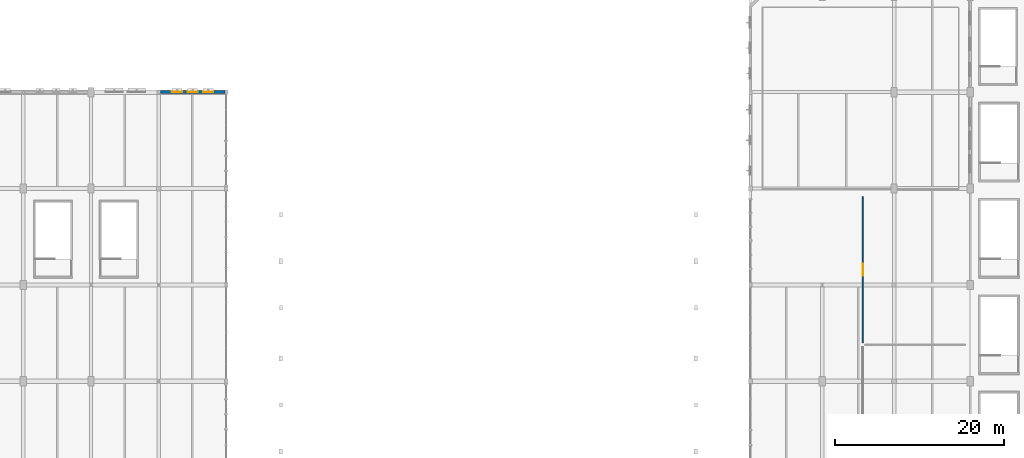
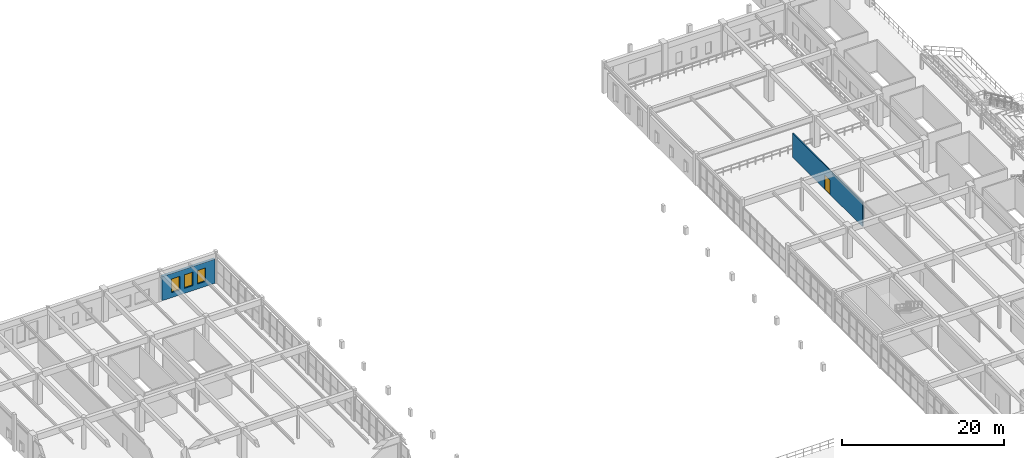
# One storey, part 85 of 106: 3 windows, 2 walls, 1 door, 4 openings.
"""IFC4 building model written with IfcOpenShell, lengths in metres."""

from ifc_helpers import new_model, si_unit, direction, frame, frame_2d, origin, place, context, subcontext, project, spatial, rectangle, extrude, material, layer, layer_set, type_object, element, fill, save


model = new_model("IFC4")

# Units and contexts
model_context = context("Model", 3, precision=1e-05, world=origin(), true_north=direction((0.0, 1.0)))
body_context = subcontext(model_context, "Body", "Model", "MODEL_VIEW")
ifc_project = project(units=[si_unit("LENGTHUNIT", "METRE"), si_unit("AREAUNIT", "SQUARE_METRE"), si_unit("VOLUMEUNIT", "CUBIC_METRE"), si_unit("PLANEANGLEUNIT", "RADIAN"), si_unit("MASSUNIT", "GRAM", prefix="KILO"), si_unit("POWERUNIT", "WATT"), si_unit("THERMODYNAMICTEMPERATUREUNIT", "KELVIN")], contexts=[model_context])

# Site, building, storey
site_placement = place(None, origin())
site = spatial("IfcSite", under=ifc_project, at=site_placement, CompositionType="ELEMENT")
building_placement = place(site_placement, origin())
building = spatial("IfcBuilding", under=site, at=building_placement, Name="Kelmbourne Parkland Aquatics Centre", CompositionType="ELEMENT")
storey_placement = place(building_placement, frame((0.0, 0.0, 5.39990234375)))
storey = spatial("IfcBuildingStorey", under=building, at=storey_placement, Name="L01", CompositionType="ELEMENT", Elevation=5.39990234375)

# Wall, openings, windows
ifc_material_1 = material(Name="Polychrome glazed brick header coursework", Category="masonry")
ifc_layer_1 = layer(ifc_material_1, 0.35009765625)
ifc_layer_set_1 = layer_set([ifc_layer_1], Name="Polychrome glazed brick header coursework")
wall_type_1 = type_object("IfcWallType", Name="W-EXT-350", PredefinedType="STANDARD", material=ifc_layer_set_1)
wall_1_placement = place(storey_placement, frame((32.22705078125, 92.0, 0.0), z_axis=(0.0, 0.0, 1.0), x_axis=(1.0, 0.0, 0.0)))
wall_1 = element("IfcWall", 1, at=wall_1_placement, inside=storey, type_object=wall_type_1, Name="Exterior polychrome brick wall EW-L01-073", PredefinedType="STANDARD", context=body_context, shape_type="SweptSolid", body=[
    extrude(rectangle(XDim=7.595947265625, YDim=0.35009765625, at=frame_2d((3.7978515625, 0.0))), origin(), (0.0, 0.0, 1.0), 3.64501953125),
])
opening_1_placement = place(wall_1_placement, frame((1.35009765625, 0.0, 0.75)))
opening_1 = element("IfcOpeningElement", 2, at=opening_1_placement, cuts=wall_1, Name="Opening W08", PredefinedType="OPENING", context=body_context, shape_type="SweptSolid", body=[
    extrude(rectangle(XDim=1.199951171875, YDim=2.050048828125, at=frame_2d((0.60009765625, 1.02490234375))), frame((0.0, 0.18701171875, 0.0), z_axis=(0.0, -1.0, 0.0), x_axis=(1.0, 0.0, 0.0)), (0.0, 0.0, 1.0), 0.3740234375),
])
opening_2_placement = place(wall_1_placement, frame((3.197998046875, 0.0, 0.75)))
opening_2 = element("IfcOpeningElement", 3, at=opening_2_placement, cuts=wall_1, Name="Opening W08", PredefinedType="OPENING", context=body_context, shape_type="SweptSolid", body=[
    extrude(rectangle(XDim=1.199951171875, YDim=2.050048828125, at=frame_2d((0.60009765625, 1.02490234375))), frame((0.0, 0.18701171875, 0.0), z_axis=(0.0, -1.0, 0.0), x_axis=(1.0, 0.0, 0.0)), (0.0, 0.0, 1.0), 0.3740234375),
])
opening_3_placement = place(wall_1_placement, frame((5.0458984375, 0.0, 0.75)))
opening_3 = element("IfcOpeningElement", 4, at=opening_3_placement, cuts=wall_1, Name="Opening W08", PredefinedType="OPENING", context=body_context, shape_type="SweptSolid", body=[
    extrude(rectangle(XDim=1.199951171875, YDim=2.050048828125, at=frame_2d((0.60009765625, 1.02490234375))), frame((0.0, 0.18701171875, 0.0), z_axis=(0.0, -1.0, 0.0), x_axis=(1.0, 0.0, 0.0)), (0.0, 0.0, 1.0), 0.3740234375),
])
ifc_material_2 = material(Name="Thermally broken anodised aluminium window with low-e glass", Category="aluminium")
ifc_layer_2 = layer(ifc_material_2, 0.090087890625)
ifc_layer_set_2 = layer_set([ifc_layer_2], Name="Thermally broken anodised aluminium window with low-e glass")
window_type = type_object("IfcWindowType", Name="WN-08", PartitioningType="SINGLE_PANEL", PredefinedType="WINDOW", material=ifc_layer_set_2)
window_1_placement = place(opening_1_placement, origin())
window_1 = element("IfcWindow", 5, at=window_1_placement, inside=storey, type_object=window_type, Name="Deep-reveal masonry window W08", OverallHeight=2.050048828125, OverallWidth=1.199951171875, PartitioningType="SINGLE_PANEL", PredefinedType="WINDOW", context=body_context, shape_type="SweptSolid", body=[
    extrude(rectangle(XDim=1.199951171875, YDim=2.050048828125, at=frame_2d((0.60009765625, 1.02490234375))), frame((0.0, 0.080078125, 0.0), z_axis=(0.0, -1.0, 0.0), x_axis=(1.0, 0.0, 0.0)), (0.0, 0.0, 1.0), 0.06005859375),
])
fill(opening_1, window_1)
window_2_placement = place(opening_2_placement, origin())
window_2 = element("IfcWindow", 6, at=window_2_placement, inside=storey, type_object=window_type, Name="Deep-reveal masonry window W08", OverallHeight=2.050048828125, OverallWidth=1.199951171875, PartitioningType="SINGLE_PANEL", PredefinedType="WINDOW", context=body_context, shape_type="SweptSolid", body=[
    extrude(rectangle(XDim=1.199951171875, YDim=2.050048828125, at=frame_2d((0.60009765625, 1.02490234375))), frame((0.0, 0.080078125, 0.0), z_axis=(0.0, -1.0, 0.0), x_axis=(1.0, 0.0, 0.0)), (0.0, 0.0, 1.0), 0.06005859375),
])
fill(opening_2, window_2)
window_3_placement = place(opening_3_placement, origin())
window_3 = element("IfcWindow", 7, at=window_3_placement, inside=storey, type_object=window_type, Name="Deep-reveal masonry window W08", OverallHeight=2.050048828125, OverallWidth=1.199951171875, PartitioningType="SINGLE_PANEL", PredefinedType="WINDOW", context=body_context, shape_type="SweptSolid", body=[
    extrude(rectangle(XDim=1.199951171875, YDim=2.050048828125, at=frame_2d((0.60009765625, 1.02490234375))), frame((0.0, 0.080078125, 0.0), z_axis=(0.0, -1.0, 0.0), x_axis=(1.0, 0.0, 0.0)), (0.0, 0.0, 1.0), 0.06005859375),
])
fill(opening_3, window_3)

# Wall, opening, door
ifc_material_3 = material(Name="Moisture-resistant acoustic stud partition", Category="gypsum")
ifc_layer_3 = layer(ifc_material_3, 0.14990234375)
ifc_layer_set_3 = layer_set([ifc_layer_3], Name="Moisture-resistant acoustic stud partition")
wall_type_2 = type_object("IfcWallType", Name="W-PART-150", PredefinedType="PARTITIONING", material=ifc_layer_set_3)
wall_2_placement = place(storey_placement, frame((115.300048828125, 62.35009765625, 0.0), z_axis=(0.0, 0.0, 1.0), x_axis=(0.0, 1.0, 0.0)))
wall_2 = element("IfcWall", 8, at=wall_2_placement, inside=storey, type_object=wall_type_2, Name="Interior partition PT-L01-076", PredefinedType="PARTITIONING", context=body_context, shape_type="SweptSolid", body=[
    extrude(rectangle(XDim=17.2998046875, YDim=0.14990234375, at=frame_2d((8.64990234375, 0.0))), origin(), (0.0, 0.0, 1.0), 3.64501953125),
])
opening_4_placement = place(wall_2_placement, frame((7.949951171875, 0.0, 0.0)))
opening_4 = element("IfcOpeningElement", 9, at=opening_4_placement, cuts=wall_2, Name="Opening PD01", PredefinedType="OPENING", context=body_context, shape_type="SweptSolid", body=[
    extrude(rectangle(XDim=1.39990234375, YDim=2.199951171875, at=frame_2d((0.699951171875, 1.10009765625))), frame((0.0, 0.0869140625, 0.0), z_axis=(0.0, -1.0, 0.0), x_axis=(1.0, 0.0, 0.0)), (0.0, 0.0, 1.0), 0.173828125),
])
ifc_material_4 = material(Name="Marine-grade stainless steel and fire-rated hardwood doorset", Category="steel")
ifc_layer_4 = layer(ifc_material_4, 0.050048828125)
ifc_layer_set_4 = layer_set([ifc_layer_4], Name="Marine-grade stainless steel and fire-rated hardwood doorset")
door_type = type_object("IfcDoorType", Name="DR-PLT-140", OperationType="NOTDEFINED", PredefinedType="DOOR", material=ifc_layer_set_4)
door_placement = place(opening_4_placement, origin())
door = element("IfcDoor", 10, at=door_placement, inside=storey, type_object=door_type, Name="Interior door PD01 (L01-043)", OperationType="DOUBLE_DOOR_SINGLE_SWING", OverallHeight=2.199951171875, OverallWidth=1.39990234375, PredefinedType="DOOR", context=body_context, shape_type="SweptSolid", body=[
    extrude(rectangle(XDim=1.39990234375, YDim=2.199951171875, at=frame_2d((0.699951171875, 1.10009765625))), frame((0.0, 0.02490234375, 0.0), z_axis=(0.0, -1.0, 0.0), x_axis=(1.0, 0.0, 0.0)), (0.0, 0.0, 1.0), 0.050048828125),
])
fill(opening_4, door)

save(model, "model.ifc")
